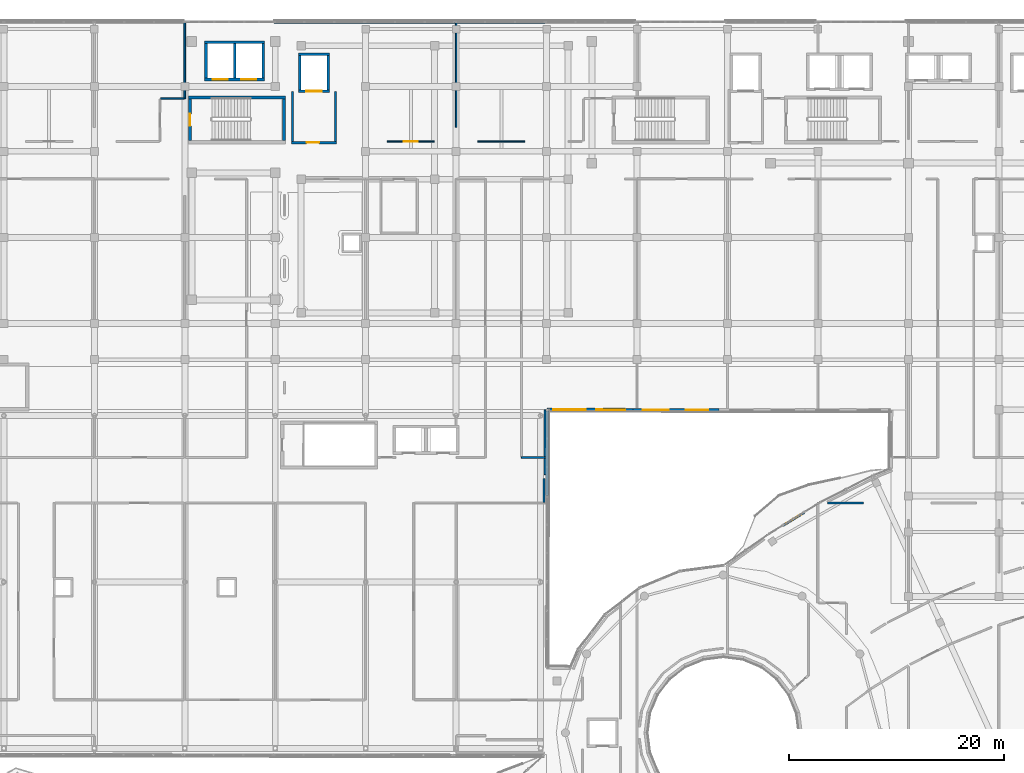
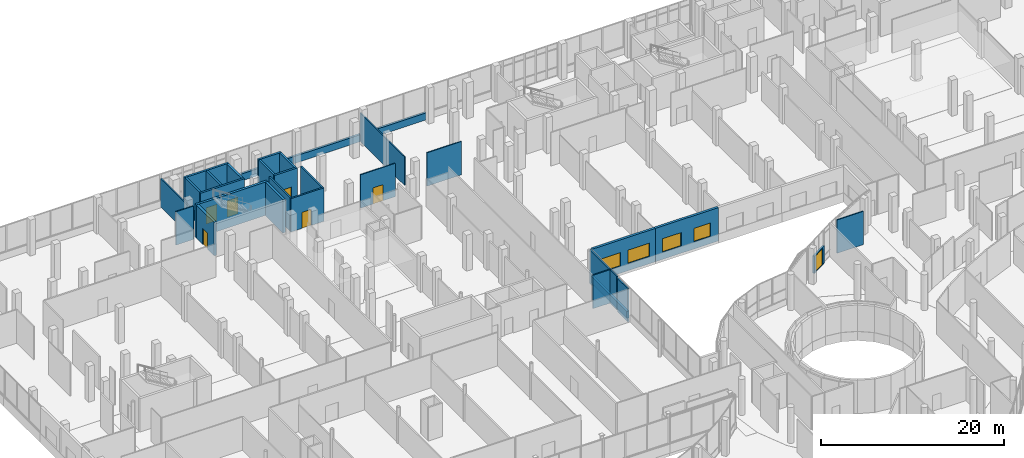
# One storey, part 136 of 155: 32 walls, 7 doors, 4 windows, 11 openings.
"""IFC4 building model written with IfcOpenShell, lengths in metres."""

import ifcopenshell
import ifcopenshell.guid

model = None  # the IFC model being written
_history = None  # IfcOwnerHistory: only IFC2X3 demands one
_inside = {}  # id of a spatial element -> (the spatial element, [elements in it])
_under = {}  # id of a project, library or spatial element -> (it, [spatial elements below it])
_declared = {}  # id of a project -> (the project, [libraries it declares])
_typed = {}  # id of a type object -> (the type object, [elements of that type])
_made_of = {}  # id of a material, layer set ... -> (it, [elements and type objects made of it])


def new_model(schema):
    """Start an empty IFC model of exactly this schema.

    Asked for "IFC4X3", IfcOpenShell would pick the latest addendum, in which some entities
    have other attributes; the version numbers below select the first issue.
    IFC2X3 requires an IfcOwnerHistory on every rooted entity: one is made here for all.
    """
    global model, _history
    if schema == "IFC4X3":
        model = ifcopenshell.file(schema_version=(4, 3, 0, 0))
    else:
        model = ifcopenshell.file(schema=schema)
    _inside.clear()
    _under.clear()
    _declared.clear()
    _typed.clear()
    _made_of.clear()
    _history = None
    if model.schema == "IFC2X3":
        org = make("IfcOrganization", Name="unknown")
        user = make(
            "IfcPersonAndOrganization",
            ThePerson=make("IfcPerson", FamilyName="unknown"),
            TheOrganization=org,
        )
        app = make(
            "IfcApplication",
            ApplicationDeveloper=org,
            Version="unknown",
            ApplicationFullName="unknown",
            ApplicationIdentifier="unknown",
        )
        _history = make(
            "IfcOwnerHistory",
            OwningUser=user,
            OwningApplication=app,
            ChangeAction="ADDED",
            CreationDate=0,
        )
    return model


def make(cls, **values):
    """One entity of the class cls with the attributes given. An attribute that is None is left unset."""
    return model.create_entity(
        cls, **{name: value for name, value in values.items() if value is not None}
    )


def rooted(cls, **values):
    """An entity with a GlobalId (a new one), such as an element, a storey or a relation."""
    return make(cls, GlobalId=ifcopenshell.guid.new(), OwnerHistory=_history, **values)


def si_unit(unit_type, name, prefix=None):
    """IfcSIUnit, for example si_unit("LENGTHUNIT", "METRE", prefix="MILLI")."""
    return make("IfcSIUnit", UnitType=unit_type, Prefix=prefix, Name=name)


def assignment(units):
    """IfcUnitAssignment: the units of a project."""
    return None if units is None else make("IfcUnitAssignment", Units=units)


def point(xyz):
    """IfcCartesianPoint."""
    return None if xyz is None else make("IfcCartesianPoint", Coordinates=xyz)


def direction(xyz):
    """IfcDirection."""
    return None if xyz is None else make("IfcDirection", DirectionRatios=xyz)


def frame(location, z_axis=None, x_axis=None):
    """IfcAxis2Placement3D, a coordinate frame: its origin and axes. An axis left out is left unset."""
    return make(
        "IfcAxis2Placement3D",
        Location=point(location),
        Axis=direction(z_axis),
        RefDirection=direction(x_axis),
    )


def frame_2d(location, x_axis=None):
    """IfcAxis2Placement2D, a coordinate frame in the plane: its origin and x axis."""
    return make(
        "IfcAxis2Placement2D", Location=point(location), RefDirection=direction(x_axis)
    )


def origin():
    """The frame at (0, 0, 0) with its axes left unset."""
    return frame((0.0, 0.0, 0.0))


def place(relative_to, where):
    """IfcLocalPlacement: puts the frame where relative to a parent placement (None: the world)."""
    return make(
        "IfcLocalPlacement", PlacementRelTo=relative_to, RelativePlacement=where
    )


def context(
    kind, dimensions, precision=None, world=None, true_north=None, identifier=None
):
    """IfcGeometricRepresentationContext, for example the 3D "Model" context."""
    return make(
        "IfcGeometricRepresentationContext",
        ContextIdentifier=identifier,
        ContextType=kind,
        CoordinateSpaceDimension=dimensions,
        Precision=precision,
        WorldCoordinateSystem=world,
        TrueNorth=true_north,
    )


def subcontext(parent, identifier, kind, view, scale=None):
    """IfcGeometricRepresentationSubContext, for example "Body" below "Model"."""
    return make(
        "IfcGeometricRepresentationSubContext",
        ContextIdentifier=identifier,
        ContextType=kind,
        ParentContext=parent,
        TargetScale=scale,
        TargetView=view,
    )


def project(units=None, contexts=None):
    """IfcProject with its units and contexts."""
    return rooted(
        "IfcProject",
        Name="project",
        RepresentationContexts=contexts,
        UnitsInContext=assignment(units),
    )


def spatial(cls, under=None, at=None, **own):
    """A site, building, storey or space (cls), placed at a placement, below another one or the project."""
    s = rooted(cls, ObjectPlacement=at, **own)
    if under is not None:
        _under.setdefault(under.id(), (under, []))[1].append(s)
    return s


def profile(cls, at=None, kind="AREA", **sizes):
    """A parametric profile (cls). Its sizes go by their IFC names, for example OverallWidth=200.0."""
    return make(cls, ProfileType=kind, Position=at, **sizes)


def rectangle(**sizes):
    """IfcRectangleProfileDef."""
    return profile("IfcRectangleProfileDef", **sizes)


def extrude(swept, where, along, depth):
    """IfcExtrudedAreaSolid: the profile swept, set in the frame where, extruded along a direction by depth."""
    return make(
        "IfcExtrudedAreaSolid",
        SweptArea=swept,
        Position=where,
        ExtrudedDirection=direction(along),
        Depth=depth,
    )


def shape(context_of_items, identifier, shape_type, items):
    """IfcShapeRepresentation: the items that make up one representation, for example the "Body"."""
    return make(
        "IfcShapeRepresentation",
        ContextOfItems=context_of_items,
        RepresentationIdentifier=identifier,
        RepresentationType=shape_type,
        Items=items,
    )


def material(Name=None, Category=None):
    """IfcMaterial."""
    return make("IfcMaterial", Name=Name, Category=Category)


def layer(
    of_material, thickness, ventilated=None, Name=None, Category=None, Priority=None
):
    """IfcMaterialLayer: one layer of a wall or slab, of a material (None: an air gap)."""
    return make(
        "IfcMaterialLayer",
        Material=of_material,
        LayerThickness=thickness,
        IsVentilated=ventilated,
        Name=Name,
        Category=Category,
        Priority=Priority,
    )


def layer_set(layers, Name=None):
    """IfcMaterialLayerSet."""
    return make("IfcMaterialLayerSet", MaterialLayers=layers, LayerSetName=Name)


def made_of(thing, what):
    """Note that an element or type object is made of a material, layer set ...; save() writes the relation."""
    if what is not None:
        _made_of.setdefault(what.id(), (what, []))[1].append(thing)
    return thing


def type_object(cls, material=None, **own):
    """A type object (cls), such as IfcWallType, which elements share."""
    return made_of(rooted(cls, **own), material)


def element(
    cls,
    number,
    at=None,
    inside=None,
    cuts=None,
    type_object=None,
    material=None,
    context=None,
    identifier="Body",
    shape_type=None,
    held_by="IfcProductDefinitionShape",
    body=None,
    shapes=None,
    **own,
):
    """One element of the class cls, such as IfcWall. Its Tag is "e" and its number.

    at: its placement. inside: the storey or other place that contains it. cuts: it is an
    opening in that element (IfcRelVoidsElement). A single representation is given by context,
    identifier, shape_type and body (its items); several are given by shapes. held_by: the class
    of the entity that holds the representations. save() writes the other relations.
    """
    e = rooted(cls, Tag="e%d" % number, ObjectPlacement=at, **own)
    if body is not None:
        shapes = [shape(context, identifier, shape_type, body)]
    if shapes is not None:
        e.Representation = make(held_by, Representations=shapes)
    if inside is not None:
        _inside.setdefault(inside.id(), (inside, []))[1].append(e)
    if cuts is not None:
        rooted(
            "IfcRelVoidsElement", RelatingBuildingElement=cuts, RelatedOpeningElement=e
        )
    if type_object is not None:
        _typed.setdefault(type_object.id(), (type_object, []))[1].append(e)
    return made_of(e, material)


def fill(opening, filler):
    """IfcRelFillsElement: the door or window that sits in an opening."""
    return rooted(
        "IfcRelFillsElement",
        RelatingOpeningElement=opening,
        RelatedBuildingElement=filler,
    )


def aggregate(whole, parts):
    """IfcRelAggregates: a whole, such as a stair, and the parts it consists of."""
    return rooted("IfcRelAggregates", RelatingObject=whole, RelatedObjects=parts)


def save(model, path):
    """Write the relations noted so far, then the file.

    IfcRelAggregates (storeys below a building ...), IfcRelContainedInSpatialStructure (elements
    in a storey), IfcRelDefinesByType, IfcRelAssociatesMaterial and IfcRelDeclares: one each for
    every whole, place, type object, material and project.
    """
    for whole, parts in _under.values():
        aggregate(whole, parts)
    for where, things in _inside.values():
        rooted(
            "IfcRelContainedInSpatialStructure",
            RelatedElements=things,
            RelatingStructure=where,
        )
    for kind, things in _typed.values():
        rooted("IfcRelDefinesByType", RelatedObjects=things, RelatingType=kind)
    for what, things in _made_of.values():
        rooted("IfcRelAssociatesMaterial", RelatedObjects=things, RelatingMaterial=what)
    for by, libraries in _declared.values():
        rooted("IfcRelDeclares", RelatingContext=by, RelatedDefinitions=libraries)
    model.write(path)


model = new_model("IFC4")

# Units and contexts
model_context = context("Model", 3, precision=1e-05, world=origin(), true_north=direction((0.0, 1.0)))
body_context = subcontext(model_context, "Body", "Model", "MODEL_VIEW")
ifc_project = project(units=[si_unit("LENGTHUNIT", "METRE"), si_unit("AREAUNIT", "SQUARE_METRE"), si_unit("VOLUMEUNIT", "CUBIC_METRE"), si_unit("PLANEANGLEUNIT", "RADIAN"), si_unit("MASSUNIT", "GRAM", prefix="KILO")], contexts=[model_context])

# Site, building, storey
site_placement = place(None, origin())
site = spatial("IfcSite", under=ifc_project, at=site_placement, CompositionType="ELEMENT")
building_placement = place(site_placement, origin())
building = spatial("IfcBuilding", under=site, at=building_placement, Name="Selatvlak General Hospital", CompositionType="ELEMENT")
storey_placement = place(building_placement, frame((0.0, 0.0, 10.199951171875)))
storey = spatial("IfcBuildingStorey", under=building, at=storey_placement, Name="L02", CompositionType="ELEMENT", Elevation=10.199951171875)

# Wall, openings, windows
ifc_material_1 = material(Name="Precast concrete C40/50 - white fair-faced", Category="concrete")
ifc_layer_1 = layer(ifc_material_1, 0.300048828125, Name="Precast concrete C40/50 - white fair-faced", Category="concrete")
ifc_layer_set_1 = layer_set([ifc_layer_1], Name="Precast concrete C40/50 - white fair-faced")
wall_type_1 = type_object("IfcWallType", Name="WALL-EW-01", PredefinedType="SOLIDWALL", material=ifc_layer_set_1)
wall_1_placement = place(storey_placement, frame((97.6298828125, 83.969970703125, 0.0), z_axis=(0.0, 0.0, 1.0), x_axis=(-0.99999820321, 0.001895673228, 0.0)))
wall_1 = element("IfcWall", 1, at=wall_1_placement, inside=storey, type_object=wall_type_1, Name="L02 exterior wall 0329", PredefinedType="SOLIDWALL", context=body_context, shape_type="SweptSolid", body=[
    extrude(rectangle(XDim=7.98486328125, YDim=0.300048828125, at=frame_2d((3.992431640625, 0.0))), origin(), (0.0, 0.0, 1.0), 4.4599609375),
])
opening_1_placement = place(wall_1_placement, frame((1.02587890625, 0.0, 0.9599609375)))
opening_1 = element("IfcOpeningElement", 2, at=opening_1_placement, cuts=wall_1, Name="Opening WN-21", PredefinedType="OPENING", context=body_context, shape_type="SweptSolid", body=[
    extrude(rectangle(XDim=2.10009765625, YDim=1.800048828125, at=frame_2d((1.050048828125, 0.89990234375))), frame((0.0, 0.159912109375, 0.0), z_axis=(0.0, -1.0, 0.0), x_axis=(1.0, 0.0, 0.0)), (0.0, 0.0, 1.0), 0.320068359375),
])
opening_2_placement = place(wall_1_placement, frame((4.708984375, 0.0, 0.9599609375)))
opening_2 = element("IfcOpeningElement", 3, at=opening_2_placement, cuts=wall_1, Name="Opening WN-22", PredefinedType="OPENING", context=body_context, shape_type="SweptSolid", body=[
    extrude(rectangle(XDim=2.39990234375, YDim=1.800048828125, at=frame_2d((1.199951171875, 0.89990234375))), frame((0.0, 0.159912109375, 0.0), z_axis=(0.0, -1.0, 0.0), x_axis=(1.0, 0.0, 0.0)), (0.0, 0.0, 1.0), 0.320068359375),
])
ifc_material_2 = material(Name="Thermally broken aluminium Low-E window", Category="aluminium")
window_type_1 = type_object("IfcWindowType", Name="WIN-WN-21", PartitioningType="SINGLE_PANEL", PredefinedType="WINDOW", material=ifc_material_2)
window_1_placement = place(opening_1_placement, origin())
window_1 = element("IfcWindow", 4, at=window_1_placement, inside=storey, type_object=window_type_1, Name="L02 Bauhaus ribbon window 0050", OverallHeight=1.800048828125, OverallWidth=2.10009765625, PartitioningType="SINGLE_PANEL", PredefinedType="WINDOW", context=body_context, shape_type="SweptSolid", body=[
    extrude(rectangle(XDim=2.10009765625, YDim=1.800048828125, at=frame_2d((1.050048828125, 0.89990234375))), frame((0.0, 0.030029296875, 0.0), z_axis=(0.0, -1.0, 0.0), x_axis=(1.0, 0.0, 0.0)), (0.0, 0.0, 1.0), 0.06005859375),
])
fill(opening_1, window_1)
window_type_2 = type_object("IfcWindowType", Name="WIN-WN-22", PartitioningType="SINGLE_PANEL", PredefinedType="WINDOW", material=ifc_material_2)
window_2_placement = place(opening_2_placement, origin())
window_2 = element("IfcWindow", 5, at=window_2_placement, inside=storey, type_object=window_type_2, Name="L02 Bauhaus ribbon window 0051", OverallHeight=1.800048828125, OverallWidth=2.39990234375, PartitioningType="SINGLE_PANEL", PredefinedType="WINDOW", context=body_context, shape_type="SweptSolid", body=[
    extrude(rectangle(XDim=2.39990234375, YDim=1.800048828125, at=frame_2d((1.199951171875, 0.89990234375))), frame((0.0, 0.030029296875, 0.0), z_axis=(0.0, -1.0, 0.0), x_axis=(1.0, 0.0, 0.0)), (0.0, 0.0, 1.0), 0.06005859375),
])
fill(opening_2, window_2)

wall_2_placement = place(storey_placement, frame((89.64501953125, 83.985107421875, 0.0), z_axis=(0.0, 0.0, 1.0), x_axis=(-0.99999826081, 0.001865040936, 0.0)))
wall_2 = element("IfcWall", 6, at=wall_2_placement, inside=storey, type_object=wall_type_1, Name="L02 exterior wall 0330", PredefinedType="SOLIDWALL", context=body_context, shape_type="SweptSolid", body=[
    extrude(rectangle(XDim=7.985107421875, YDim=0.300048828125, at=frame_2d((3.99267578125, 0.0))), origin(), (0.0, 0.0, 1.0), 4.4599609375),
])
opening_3_placement = place(wall_2_placement, frame((0.72607421875, 0.0, 0.9599609375)))
opening_3 = element("IfcOpeningElement", 7, at=opening_3_placement, cuts=wall_2, Name="Opening WN-23", PredefinedType="OPENING", context=body_context, shape_type="SweptSolid", body=[
    extrude(rectangle(XDim=2.699951171875, YDim=1.800048828125, at=frame_2d((1.35009765625, 0.89990234375))), frame((0.0, 0.159912109375, 0.0), z_axis=(0.0, -1.0, 0.0), x_axis=(1.0, 0.0, 0.0)), (0.0, 0.0, 1.0), 0.320068359375),
])
opening_4_placement = place(wall_2_placement, frame((4.408935546875, 0.0, 0.9599609375)))
opening_4 = element("IfcOpeningElement", 8, at=opening_4_placement, cuts=wall_2, Name="Opening WN-24", PredefinedType="OPENING", context=body_context, shape_type="SweptSolid", body=[
    extrude(rectangle(XDim=3.0, YDim=1.800048828125, at=frame_2d((1.5, 0.89990234375))), frame((0.0, 0.159912109375, 0.0), z_axis=(0.0, -1.0, 0.0), x_axis=(1.0, 0.0, 0.0)), (0.0, 0.0, 1.0), 0.320068359375),
])
window_type_3 = type_object("IfcWindowType", Name="WIN-WN-23", PartitioningType="SINGLE_PANEL", PredefinedType="WINDOW", material=ifc_material_2)
window_3_placement = place(opening_3_placement, origin())
window_3 = element("IfcWindow", 9, at=window_3_placement, inside=storey, type_object=window_type_3, Name="L02 Bauhaus ribbon window 0052", OverallHeight=1.800048828125, OverallWidth=2.699951171875, PartitioningType="SINGLE_PANEL", PredefinedType="WINDOW", context=body_context, shape_type="SweptSolid", body=[
    extrude(rectangle(XDim=2.699951171875, YDim=1.800048828125, at=frame_2d((1.35009765625, 0.89990234375))), frame((0.0, 0.030029296875, 0.0), z_axis=(0.0, -1.0, 0.0), x_axis=(1.0, 0.0, 0.0)), (0.0, 0.0, 1.0), 0.06005859375),
])
fill(opening_3, window_3)
window_type_4 = type_object("IfcWindowType", Name="WIN-WN-24", PartitioningType="SINGLE_PANEL", PredefinedType="WINDOW", material=ifc_material_2)
window_4_placement = place(opening_4_placement, origin())
window_4 = element("IfcWindow", 10, at=window_4_placement, inside=storey, type_object=window_type_4, Name="L02 Bauhaus ribbon window 0053", OverallHeight=1.800048828125, OverallWidth=3.0, PartitioningType="SINGLE_PANEL", PredefinedType="WINDOW", context=body_context, shape_type="SweptSolid", body=[
    extrude(rectangle(XDim=3.0, YDim=1.800048828125, at=frame_2d((1.5, 0.89990234375))), frame((0.0, 0.030029296875, 0.0), z_axis=(0.0, -1.0, 0.0), x_axis=(1.0, 0.0, 0.0)), (0.0, 0.0, 1.0), 0.06005859375),
])
fill(opening_4, window_4)

# Walls
ifc_material_3 = material(Name="Precast concrete C40/50 - white Bauhaus spandrel", Category="concrete")
ifc_layer_2 = layer(ifc_material_3, 0.280029296875, Name="Precast concrete C40/50 - white Bauhaus spandrel", Category="concrete")
ifc_layer_set_2 = layer_set([ifc_layer_2], Name="Precast concrete C40/50 - white Bauhaus spandrel")
wall_type_2 = type_object("IfcWallType", Name="WALL-EW-02", PredefinedType="SOLIDWALL", material=ifc_layer_set_2)
wall_3_placement = place(storey_placement, frame((56.302001953125, 119.9990234375, 0.0), z_axis=(0.0, 0.0, 1.0), x_axis=(1.0, 0.0, 0.0)))
element("IfcWall", 11, at=wall_3_placement, inside=storey, type_object=wall_type_2, Name="L02 Bauhaus spandrel sill wall 0295", PredefinedType="SOLIDWALL", context=body_context, shape_type="SweptSolid", body=[
    extrude(rectangle(XDim=8.3759765625, YDim=0.280029296875, at=frame_2d((4.18798828125, 0.0))), origin(), (0.0, 0.0, 1.0), 0.93994140625),
])
wall_4_placement = place(storey_placement, frame((64.681884765625, 119.9990234375, 0.0), z_axis=(0.0, 0.0, 1.0), x_axis=(1.0, 0.0, 0.0)))
element("IfcWall", 12, at=wall_4_placement, inside=storey, type_object=wall_type_2, Name="L02 Bauhaus spandrel sill wall 0296", PredefinedType="SOLIDWALL", context=body_context, shape_type="SweptSolid", body=[
    extrude(rectangle(XDim=8.376220703125, YDim=0.280029296875, at=frame_2d((4.18798828125, 0.0))), origin(), (0.0, 0.0, 1.0), 0.93994140625),
])
wall_5_placement = place(storey_placement, frame((73.06201171875, 119.9990234375, 0.0), z_axis=(0.0, 0.0, 1.0), x_axis=(1.0, 0.0, 0.0)))
element("IfcWall", 13, at=wall_5_placement, inside=storey, type_object=wall_type_2, Name="L02 Bauhaus spandrel sill wall 0297", PredefinedType="SOLIDWALL", context=body_context, shape_type="SweptSolid", body=[
    extrude(rectangle(XDim=8.3759765625, YDim=0.280029296875, at=frame_2d((4.18798828125, 0.0))), origin(), (0.0, 0.0, 1.0), 0.93994140625),
])
wall_6_placement = place(storey_placement, frame((81.659912109375, 83.860107421875, 0.0), z_axis=(0.0, 0.0, 1.0), x_axis=(-0.002554110965, -0.999996738253, 0.0)))
element("IfcWall", 14, at=wall_6_placement, inside=storey, type_object=wall_type_2, Name="L02 Bauhaus spandrel sill wall 0331", PredefinedType="SOLIDWALL", context=body_context, shape_type="SweptSolid", body=[
    extrude(rectangle(XDim=7.838134765625, YDim=0.280029296875, at=frame_2d((3.9189453125, 0.0))), origin(), (0.0, 0.0, 1.0), 0.93994140625),
])

# Wall, opening, door
ifc_layer_3 = layer(ifc_material_1, 0.239990234375, Name="Precast concrete C40/50 - white fair-faced", Category="concrete")
ifc_layer_set_3 = layer_set([ifc_layer_3], Name="Precast concrete C40/50 - white fair-faced")
wall_type_3 = type_object("IfcWallType", Name="WALL-EW-04", PredefinedType="SOLIDWALL", material=ifc_layer_set_3)
wall_7_placement = place(storey_placement, frame((103.555908203125, 73.258056640625, 0.0), z_axis=(0.0, 0.0, 1.0), x_axis=(0.85044606758, 0.526062245498, 0.0)))
wall_7 = element("IfcWall", 15, at=wall_7_placement, inside=storey, type_object=wall_type_3, Name="L02 S-curve glazed balcony door frame 0325", PredefinedType="SOLIDWALL", context=body_context, shape_type="SweptSolid", body=[
    extrude(rectangle(XDim=2.300048828125, YDim=0.239990234375, at=frame_2d((1.14990234375, 0.0))), origin(), (0.0, 0.0, 1.0), 2.320068359375),
])
opening_5_placement = place(wall_7_placement, frame((0.35009765625, 0.0, 0.0)))
opening_5 = element("IfcOpeningElement", 16, at=opening_5_placement, cuts=wall_7, Name="Opening DE-05", PredefinedType="OPENING", context=body_context, shape_type="SweptSolid", body=[
    extrude(rectangle(XDim=1.60009765625, YDim=2.199951171875, at=frame_2d((0.800048828125, 1.10009765625))), frame((0.0, 0.1298828125, 0.0), z_axis=(0.0, -1.0, 0.0), x_axis=(1.0, 0.0, 0.0)), (0.0, 0.0, 1.0), 0.260009765625),
])
ifc_material_4 = material(Name="Anodised aluminium balcony double door", Category="aluminium")
door_type_1 = type_object("IfcDoorType", Name="DOOR-DE-05", OperationType="DOUBLE_DOOR_SINGLE_SWING", PredefinedType="DOOR", material=ifc_material_4)
door_1_placement = place(opening_5_placement, origin())
door_1 = element("IfcDoor", 17, at=door_1_placement, inside=storey, type_object=door_type_1, Name="L02 clinic balcony double door 26", OperationType="DOUBLE_DOOR_SINGLE_SWING", OverallHeight=2.199951171875, OverallWidth=1.60009765625, PredefinedType="DOOR", context=body_context, shape_type="SweptSolid", body=[
    extrude(rectangle(XDim=1.60009765625, YDim=2.199951171875, at=frame_2d((0.800048828125, 1.10009765625))), frame((0.0, 0.02490234375, 0.0), z_axis=(0.0, -1.0, 0.0), x_axis=(1.0, 0.0, 0.0)), (0.0, 0.0, 1.0), 0.050048828125),
])
fill(opening_5, door_1)

ifc_material_5 = material(Name="Concrete C40/50", Category="concrete")
ifc_layer_4 = layer(ifc_material_5, 0.199951171875, Name="Concrete C40/50", Category="concrete")
ifc_layer_set_4 = layer_set([ifc_layer_4], Name="Concrete C40/50")
wall_type_4 = type_object("IfcWallType", Name="WALL-IW-02", PredefinedType="SOLIDWALL", material=ifc_layer_set_4)
wall_8_placement = place(storey_placement, frame((57.89990234375, 108.800048828125, 0.0), z_axis=(0.0, 0.0, 1.0), x_axis=(1.0, 0.0, 0.0)))
wall_8 = element("IfcWall", 18, at=wall_8_placement, inside=storey, type_object=wall_type_4, Name="Firefighting lobby C1 wall L02 S", PredefinedType="SOLIDWALL", context=body_context, shape_type="SweptSolid", body=[
    extrude(rectangle(XDim=4.2001953125, YDim=0.199951171875, at=frame_2d((2.10009765625, 0.0))), origin(), (0.0, 0.0, 1.0), 4.4599609375),
])
opening_6_placement = place(wall_8_placement, frame((1.425048828125, 0.0, 0.0)))
opening_6 = element("IfcOpeningElement", 19, at=opening_6_placement, cuts=wall_8, Name="Opening D-06", PredefinedType="OPENING", context=body_context, shape_type="SweptSolid", body=[
    extrude(rectangle(XDim=1.14990234375, YDim=2.14990234375, at=frame_2d((0.574951171875, 1.074951171875))), frame((0.0, 0.10986328125, 0.0), z_axis=(0.0, -1.0, 0.0), x_axis=(1.0, 0.0, 0.0)), (0.0, 0.0, 1.0), 0.219970703125),
])
ifc_material_6 = material(Name="Firefighting lobby fire door")
door_type_2 = type_object("IfcDoorType", Name="DOOR-D-06", OperationType="NOTDEFINED", PredefinedType="DOOR", material=ifc_material_6)
door_2_placement = place(opening_6_placement, origin())
door_2 = element("IfcDoor", 20, at=door_2_placement, inside=storey, type_object=door_type_2, Name="Firefighting lobby C1 door on L02", OperationType="SINGLE_SWING_LEFT", OverallHeight=2.14990234375, OverallWidth=1.14990234375, PredefinedType="DOOR", context=body_context, shape_type="SweptSolid", body=[
    extrude(rectangle(XDim=1.14990234375, YDim=2.14990234375, at=frame_2d((0.574951171875, 1.074951171875))), frame((0.0, 0.02490234375, 0.0), z_axis=(0.0, -1.0, 0.0), x_axis=(1.0, 0.0, 0.0)), (0.0, 0.0, 1.0), 0.050048828125),
])
fill(opening_6, door_2)

# Walls
for number, where, z_axis, x_axis, name in (
    (21, (62.0, 108.89990234375, 0.0), (0.0, 0.0, 1.0), (0.0, 1.0, 0.0), "Firefighting lobby C1 wall L02 E"),
    (22, (58.0, 113.550048828125, 0.0), (0.0, 0.0, 1.0), (0.0, -1.0, 0.0), "Firefighting lobby C1 wall L02 W"),
):
    element("IfcWall", number, at=place(storey_placement, frame(where, z_axis=z_axis, x_axis=x_axis)), inside=storey, type_object=wall_type_4, Name=name, PredefinedType="SOLIDWALL", context=body_context, shape_type="SweptSolid", body=[
        extrude(rectangle(XDim=4.650146484375, YDim=0.199951171875, at=frame_2d((2.3251953125, 0.0))), origin(), (0.0, 0.0, 1.0), 4.4599609375),
    ])
ifc_material_7 = material(Name="Acoustic gypsum stud partition")
ifc_layer_5 = layer(ifc_material_7, 0.179931640625, Name="Acoustic gypsum stud partition")
ifc_layer_set_5 = layer_set([ifc_layer_5], Name="Acoustic gypsum stud partition")
wall_type_5 = type_object("IfcWallType", Name="WALL-PT-01", PredefinedType="PARTITIONING", material=ifc_layer_set_5)
wall_9_placement = place(storey_placement, frame((81.360107421875, 75.39599609375, 0.0), z_axis=(0.0, 0.0, 1.0), x_axis=(0.0, 1.0, 0.0)))
element("IfcWall", 23, at=wall_9_placement, inside=storey, type_object=wall_type_5, Name="L02 clinical partition PT-L02-1145", PredefinedType="PARTITIONING", context=body_context, shape_type="SweptSolid", body=[
    extrude(rectangle(XDim=2.2041015625, YDim=0.179931640625, at=frame_2d((1.10205078125, 0.0))), origin(), (0.0, 0.0, 1.0), 4.4599609375),
])
wall_10_placement = place(storey_placement, frame((81.60693359375, 79.56005859375, 0.0), z_axis=(0.0, 0.0, 1.0), x_axis=(-1.0, 0.0, 0.0)))
element("IfcWall", 24, at=wall_10_placement, inside=storey, type_object=wall_type_5, Name="L02 clinical partition PT-L02-1275", PredefinedType="PARTITIONING", context=body_context, shape_type="SweptSolid", body=[
    extrude(rectangle(XDim=2.346923828125, YDim=0.179931640625, at=frame_2d((1.17333984375, 0.0))), origin(), (0.0, 0.0, 1.0), 4.4599609375),
])
wall_11_placement = place(storey_placement, frame((81.4599609375, 83.97509765625, 0.0), z_axis=(0.0, 0.0, 1.0), x_axis=(0.0, -1.0, 0.0)))
element("IfcWall", 25, at=wall_11_placement, inside=storey, type_object=wall_type_5, Name="L02 clinical partition PT-L02-1280", PredefinedType="PARTITIONING", context=body_context, shape_type="SweptSolid", body=[
    extrude(rectangle(XDim=4.3291015625, YDim=0.179931640625, at=frame_2d((2.16455078125, 0.0))), origin(), (0.0, 0.0, 1.0), 4.4599609375),
])
ifc_layer_6 = layer(ifc_material_7, 0.1650390625, Name="Acoustic gypsum stud partition")
ifc_layer_set_6 = layer_set([ifc_layer_6], Name="Acoustic gypsum stud partition")
wall_type_6 = type_object("IfcWallType", Name="WALL-PT-02", PredefinedType="PARTITIONING", material=ifc_layer_set_6)
wall_12_placement = place(storey_placement, frame((81.4599609375, 79.47412109375, 0.0), z_axis=(0.0, 0.0, 1.0), x_axis=(0.0, -1.0, 0.0)))
element("IfcWall", 26, at=wall_12_placement, inside=storey, type_object=wall_type_6, Name="L02 clinical partition PT-L02-1281", PredefinedType="PARTITIONING", context=body_context, shape_type="SweptSolid", body=[
    extrude(rectangle(XDim=1.4921875, YDim=0.1650390625, at=frame_2d((0.74609375, 0.0))), origin(), (0.0, 0.0, 1.0), 4.4599609375),
])
ifc_layer_7 = layer(ifc_material_7, 0.14990234375, Name="Acoustic gypsum stud partition")
ifc_layer_set_7 = layer_set([ifc_layer_7], Name="Acoustic gypsum stud partition")
wall_type_7 = type_object("IfcWallType", Name="WALL-PT-03", PredefinedType="PARTITIONING", material=ifc_layer_set_7)
wall_13_placement = place(storey_placement, frame((107.702880859375, 75.340087890625, 0.0), z_axis=(0.0, 0.0, 1.0), x_axis=(1.0, 0.0, 0.0)))
element("IfcWall", 27, at=wall_13_placement, inside=storey, type_object=wall_type_7, Name="L02 clinical partition PT-L02-1182", PredefinedType="PARTITIONING", context=body_context, shape_type="SweptSolid", body=[
    extrude(rectangle(XDim=3.320068359375, YDim=0.14990234375, at=frame_2d((1.66015625, 0.0))), origin(), (0.0, 0.0, 1.0), 4.4599609375),
])
wall_14_placement = place(storey_placement, frame((48.0, 119.988037109375, 0.0), z_axis=(0.0, 0.0, 1.0), x_axis=(0.0, -1.0, 0.0)))
element("IfcWall", 28, at=wall_14_placement, inside=storey, type_object=wall_type_7, Name="L02 clinical partition PT-L02-1332", PredefinedType="PARTITIONING", context=body_context, shape_type="SweptSolid", body=[
    extrude(rectangle(XDim=7.088134765625, YDim=0.14990234375, at=frame_2d((3.5439453125, 0.0))), origin(), (0.0, 0.0, 1.0), 3.81005859375),
])
ifc_material_8 = material(Name="Moisture-resistant clinical partition")
ifc_layer_8 = layer(ifc_material_8, 0.135009765625, Name="Moisture-resistant clinical partition")
ifc_layer_set_8 = layer_set([ifc_layer_8], Name="Moisture-resistant clinical partition")
wall_type_8 = type_object("IfcWallType", Name="WALL-PT-04", PredefinedType="PARTITIONING", material=ifc_layer_set_8)
wall_15_placement = place(storey_placement, frame((47.928955078125, 112.89990234375, 0.0), z_axis=(0.0, 0.0, 1.0), x_axis=(-1.0, 0.0, 0.0)))
element("IfcWall", 29, at=wall_15_placement, inside=storey, type_object=wall_type_8, Name="L02 clinical partition PT-L02-1333", PredefinedType="PARTITIONING", context=body_context, shape_type="SweptSolid", body=[
    extrude(rectangle(XDim=2.178955078125, YDim=0.135009765625, at=frame_2d((1.08935546875, 0.0))), origin(), (0.0, 0.0, 1.0), 4.4599609375),
])
wall_16_placement = place(storey_placement, frame((73.199951171875, 119.95703125, 0.0), z_axis=(0.0, 0.0, 1.0), x_axis=(0.0, -1.0, 0.0)))
element("IfcWall", 30, at=wall_16_placement, inside=storey, type_object=wall_type_8, Name="L02 clinical partition PT-L02-1338", PredefinedType="PARTITIONING", context=body_context, shape_type="SweptSolid", body=[
    extrude(rectangle(XDim=9.7470703125, YDim=0.135009765625, at=frame_2d((4.87353515625, 0.0))), origin(), (0.0, 0.0, 1.0), 3.81005859375),
])

# Wall, opening, door
ifc_layer_9 = layer(ifc_material_8, 0.1201171875, Name="Moisture-resistant clinical partition")
ifc_layer_set_9 = layer_set([ifc_layer_9], Name="Moisture-resistant clinical partition")
wall_type_9 = type_object("IfcWallType", Name="WALL-PT-05", PredefinedType="PARTITIONING", material=ifc_layer_set_9)
wall_17_placement = place(storey_placement, frame((71.18896484375, 108.909912109375, 0.0), z_axis=(0.0, 0.0, 1.0), x_axis=(-1.0, 0.0, 0.0)))
wall_17 = element("IfcWall", 31, at=wall_17_placement, inside=storey, type_object=wall_type_9, Name="L02 clinical partition PT-L02-1339", PredefinedType="PARTITIONING", context=body_context, shape_type="SweptSolid", body=[
    extrude(rectangle(XDim=4.3779296875, YDim=0.1201171875, at=frame_2d((2.18896484375, 0.0))), origin(), (0.0, 0.0, 1.0), 4.4599609375),
])
opening_7_placement = place(wall_17_placement, frame((1.5390625, 0.0, 0.0)))
opening_7 = element("IfcOpeningElement", 32, at=opening_7_placement, cuts=wall_17, Name="Opening D-24", PredefinedType="OPENING", context=body_context, shape_type="SweptSolid", body=[
    extrude(rectangle(XDim=1.300048828125, YDim=2.14990234375, at=frame_2d((0.64990234375, 1.074951171875))), frame((0.0, 0.070068359375, 0.0), z_axis=(0.0, -1.0, 0.0), x_axis=(1.0, 0.0, 0.0)), (0.0, 0.0, 1.0), 0.14013671875),
])
ifc_material_9 = material(Name="Oncology bay door")
door_type_3 = type_object("IfcDoorType", Name="DOOR-D-24", OperationType="NOTDEFINED", PredefinedType="DOOR", material=ifc_material_9)
door_3_placement = place(opening_7_placement, origin())
door_3 = element("IfcDoor", 33, at=door_3_placement, inside=storey, type_object=door_type_3, Name="L02 Cardiac Catheterisation Lab 67 door", OperationType="SINGLE_SWING_RIGHT", OverallHeight=2.14990234375, OverallWidth=1.300048828125, PredefinedType="DOOR", context=body_context, shape_type="SweptSolid", body=[
    extrude(rectangle(XDim=1.300048828125, YDim=2.14990234375, at=frame_2d((0.64990234375, 1.074951171875))), frame((0.0, 0.02490234375, 0.0), z_axis=(0.0, -1.0, 0.0), x_axis=(1.0, 0.0, 0.0)), (0.0, 0.0, 1.0), 0.050048828125),
])
fill(opening_7, door_3)

# Walls
wall_18_placement = place(storey_placement, frame((79.589111328125, 108.909912109375, 0.0), z_axis=(0.0, 0.0, 1.0), x_axis=(-1.0, 0.0, 0.0)))
element("IfcWall", 34, at=wall_18_placement, inside=storey, type_object=wall_type_9, Name="L02 clinical partition PT-L02-1344", PredefinedType="PARTITIONING", context=body_context, shape_type="SweptSolid", body=[
    extrude(rectangle(XDim=4.378173828125, YDim=0.1201171875, at=frame_2d((2.18896484375, 0.0))), origin(), (0.0, 0.0, 1.0), 4.4599609375),
])
ifc_material_10 = material(Name="Concrete C45/55", Category="concrete")
ifc_layer_10 = layer(ifc_material_10, 0.300048828125, Name="Concrete C45/55", Category="concrete")
ifc_layer_set_10 = layer_set([ifc_layer_10], Name="Concrete C45/55")
wall_type_10 = type_object("IfcWallType", Name="WALL-SW-02", PredefinedType="SHEAR", material=ifc_layer_set_10)
wall_19_placement = place(storey_placement, frame((57.2099609375, 108.989990234375, 0.0), z_axis=(0.0, 0.0, 1.0), x_axis=(0.0, 1.0, 0.0)))
element("IfcWall", 35, at=wall_19_placement, inside=storey, type_object=wall_type_10, Name="ST-01 core shear wall L02 E", PredefinedType="SHEAR", context=body_context, shape_type="SweptSolid", body=[
    extrude(rectangle(XDim=3.860107421875, YDim=0.300048828125, at=frame_2d((1.93017578125, 0.0))), origin(), (0.0, 0.0, 1.0), 4.4599609375),
])
wall_20_placement = place(storey_placement, frame((57.360107421875, 113.0, 0.0), z_axis=(0.0, 0.0, 1.0), x_axis=(-1.0, 0.0, 0.0)))
element("IfcWall", 36, at=wall_20_placement, inside=storey, type_object=wall_type_10, Name="ST-01 core shear wall L02 N", PredefinedType="SHEAR", context=body_context, shape_type="SweptSolid", body=[
    extrude(rectangle(XDim=9.02001953125, YDim=0.300048828125, at=frame_2d((4.510009765625, 0.0))), origin(), (0.0, 0.0, 1.0), 4.4599609375),
])

# Wall, opening, door
wall_21_placement = place(storey_placement, frame((48.489990234375, 112.85009765625, 0.0), z_axis=(0.0, 0.0, 1.0), x_axis=(0.0, -1.0, 0.0)))
wall_21 = element("IfcWall", 37, at=wall_21_placement, inside=storey, type_object=wall_type_10, Name="ST-01 core shear wall L02 W", PredefinedType="SHEAR", context=body_context, shape_type="SweptSolid", body=[
    extrude(rectangle(XDim=3.860107421875, YDim=0.300048828125, at=frame_2d((1.93017578125, 0.0))), origin(), (0.0, 0.0, 1.0), 4.4599609375),
])
opening_8_placement = place(wall_21_placement, frame((1.3798828125, 0.0, 0.0)))
opening_8 = element("IfcOpeningElement", 38, at=opening_8_placement, cuts=wall_21, Name="Opening D-05", PredefinedType="OPENING", context=body_context, shape_type="SweptSolid", body=[
    extrude(rectangle(XDim=1.10009765625, YDim=2.14990234375, at=frame_2d((0.550048828125, 1.074951171875))), frame((0.0, 0.159912109375, 0.0), z_axis=(0.0, -1.0, 0.0), x_axis=(1.0, 0.0, 0.0)), (0.0, 0.0, 1.0), 0.320068359375),
])
ifc_material_11 = material(Name="Protected stair fire door")
door_type_4 = type_object("IfcDoorType", Name="DOOR-D-05", OperationType="NOTDEFINED", PredefinedType="DOOR", material=ifc_material_11)
door_4_placement = place(opening_8_placement, origin())
door_4 = element("IfcDoor", 39, at=door_4_placement, inside=storey, type_object=door_type_4, Name="ST-01 protected stair door on L02", OperationType="SINGLE_SWING_RIGHT", OverallHeight=2.14990234375, OverallWidth=1.10009765625, PredefinedType="DOOR", context=body_context, shape_type="SweptSolid", body=[
    extrude(rectangle(XDim=1.10009765625, YDim=2.14990234375, at=frame_2d((0.550048828125, 1.074951171875))), frame((0.0, 0.02490234375, 0.0), z_axis=(0.0, -1.0, 0.0), x_axis=(1.0, 0.0, 0.0)), (0.0, 0.0, 1.0), 0.050048828125),
])
fill(opening_8, door_4)

ifc_layer_11 = layer(ifc_material_5, 0.25, Name="Concrete C40/50", Category="concrete")
ifc_layer_set_11 = layer_set([ifc_layer_11], Name="Concrete C40/50")
wall_type_11 = type_object("IfcWallType", Name="WALL-SW-03", PredefinedType="SHEAR", material=ifc_layer_set_11)
wall_22_placement = place(storey_placement, frame((58.550048828125, 113.574951171875, 0.0), z_axis=(0.0, 0.0, 1.0), x_axis=(1.0, 0.0, 0.0)))
wall_22 = element("IfcWall", 40, at=wall_22_placement, inside=storey, type_object=wall_type_11, Name="Lift LF-01 shaft wall L02 S", PredefinedType="SHEAR", context=body_context, shape_type="SweptSolid", body=[
    extrude(rectangle(XDim=2.89990234375, YDim=0.25, at=frame_2d((1.449951171875, 0.0))), origin(), (0.0, 0.0, 1.0), 4.4599609375),
])
opening_9_placement = place(wall_22_placement, frame((0.75, 0.0, 0.0)))
opening_9 = element("IfcOpeningElement", 41, at=opening_9_placement, cuts=wall_22, Name="Opening LD-F1", PredefinedType="OPENING", context=body_context, shape_type="SweptSolid", body=[
    extrude(rectangle(XDim=1.39990234375, YDim=2.14990234375, at=frame_2d((0.699951171875, 1.074951171875))), frame((0.0, 0.135009765625, 0.0), z_axis=(0.0, -1.0, 0.0), x_axis=(1.0, 0.0, 0.0)), (0.0, 0.0, 1.0), 0.27001953125),
])
ifc_material_12 = material(Name="Stainless steel fire lift landing door", Category="steel")
door_type_5 = type_object("IfcDoorType", Name="DOOR-LD-F1", OperationType="DOUBLE_DOOR_SLIDING", PredefinedType="DOOR", material=ifc_material_12)
door_5_placement = place(opening_9_placement, origin())
door_5 = element("IfcDoor", 42, at=door_5_placement, inside=storey, type_object=door_type_5, Name="Lift LF-01 sliding landing door on L02", OperationType="DOUBLE_DOOR_SLIDING", OverallHeight=2.14990234375, OverallWidth=1.39990234375, PredefinedType="DOOR", context=body_context, shape_type="SweptSolid", body=[
    extrude(rectangle(XDim=1.39990234375, YDim=2.14990234375, at=frame_2d((0.699951171875, 1.074951171875))), frame((0.0, 0.02490234375, 0.0), z_axis=(0.0, -1.0, 0.0), x_axis=(1.0, 0.0, 0.0)), (0.0, 0.0, 1.0), 0.050048828125),
])
fill(opening_9, door_5)

# Walls
wall_23_placement = place(storey_placement, frame((61.324951171875, 113.699951171875, 0.0), z_axis=(0.0, 0.0, 1.0), x_axis=(0.0, 1.0, 0.0)))
element("IfcWall", 43, at=wall_23_placement, inside=storey, type_object=wall_type_11, Name="Lift LF-01 shaft wall L02 E", PredefinedType="SHEAR", context=body_context, shape_type="SweptSolid", body=[
    extrude(rectangle(XDim=3.199951171875, YDim=0.25, at=frame_2d((1.60009765625, 0.0))), origin(), (0.0, 0.0, 1.0), 4.4599609375),
])
wall_24_placement = place(storey_placement, frame((61.449951171875, 117.02490234375, 0.0), z_axis=(0.0, 0.0, 1.0), x_axis=(-1.0, 0.0, 0.0)))
element("IfcWall", 44, at=wall_24_placement, inside=storey, type_object=wall_type_11, Name="Lift LF-01 shaft wall L02 N", PredefinedType="SHEAR", context=body_context, shape_type="SweptSolid", body=[
    extrude(rectangle(XDim=2.89990234375, YDim=0.25, at=frame_2d((1.449951171875, 0.0))), origin(), (0.0, 0.0, 1.0), 4.4599609375),
])
wall_25_placement = place(storey_placement, frame((58.675048828125, 116.89990234375, 0.0), z_axis=(0.0, 0.0, 1.0), x_axis=(0.0, -1.0, 0.0)))
element("IfcWall", 45, at=wall_25_placement, inside=storey, type_object=wall_type_11, Name="Lift LF-01 shaft wall L02 W", PredefinedType="SHEAR", context=body_context, shape_type="SweptSolid", body=[
    extrude(rectangle(XDim=3.199951171875, YDim=0.25, at=frame_2d((1.60009765625, 0.0))), origin(), (0.0, 0.0, 1.0), 4.4599609375),
])

# Wall, openings, doors
wall_26_placement = place(storey_placement, frame((49.85009765625, 114.675048828125, 0.0), z_axis=(0.0, 0.0, 1.0), x_axis=(1.0, 0.0, 0.0)))
wall_26 = element("IfcWall", 46, at=wall_26_placement, inside=storey, type_object=wall_type_11, Name="Lift LB-01-LB-02 shaft wall L02 S", PredefinedType="SHEAR", context=body_context, shape_type="SweptSolid", body=[
    extrude(rectangle(XDim=5.5498046875, YDim=0.25, at=frame_2d((2.77490234375, 0.0))), origin(), (0.0, 0.0, 1.0), 4.4599609375),
])
opening_10_placement = place(wall_26_placement, frame((0.75, 0.0, 0.0)))
opening_10 = element("IfcOpeningElement", 47, at=opening_10_placement, cuts=wall_26, Name="Opening LD-B1", PredefinedType="OPENING", context=body_context, shape_type="SweptSolid", body=[
    extrude(rectangle(XDim=1.39990234375, YDim=2.199951171875, at=frame_2d((0.699951171875, 1.10009765625))), frame((0.0, 0.135009765625, 0.0), z_axis=(0.0, -1.0, 0.0), x_axis=(1.0, 0.0, 0.0)), (0.0, 0.0, 1.0), 0.27001953125),
])
opening_11_placement = place(wall_26_placement, frame((3.39990234375, 0.0, 0.0)))
opening_11 = element("IfcOpeningElement", 48, at=opening_11_placement, cuts=wall_26, Name="Opening LD-B1", PredefinedType="OPENING", context=body_context, shape_type="SweptSolid", body=[
    extrude(rectangle(XDim=1.39990234375, YDim=2.199951171875, at=frame_2d((0.699951171875, 1.10009765625))), frame((0.0, 0.135009765625, 0.0), z_axis=(0.0, -1.0, 0.0), x_axis=(1.0, 0.0, 0.0)), (0.0, 0.0, 1.0), 0.27001953125),
])
ifc_material_13 = material(Name="Stainless steel stretcher lift landing door", Category="steel")
door_type_6 = type_object("IfcDoorType", Name="DOOR-LD-B1", OperationType="DOUBLE_DOOR_SLIDING", PredefinedType="DOOR", material=ifc_material_13)
door_6_placement = place(opening_10_placement, origin())
door_6 = element("IfcDoor", 49, at=door_6_placement, inside=storey, type_object=door_type_6, Name="Lift LB-01 sliding landing door on L02", OperationType="DOUBLE_DOOR_SLIDING", OverallHeight=2.199951171875, OverallWidth=1.39990234375, PredefinedType="DOOR", context=body_context, shape_type="SweptSolid", body=[
    extrude(rectangle(XDim=1.39990234375, YDim=2.199951171875, at=frame_2d((0.699951171875, 1.10009765625))), frame((0.0, 0.02490234375, 0.0), z_axis=(0.0, -1.0, 0.0), x_axis=(1.0, 0.0, 0.0)), (0.0, 0.0, 1.0), 0.050048828125),
])
fill(opening_10, door_6)
door_7_placement = place(opening_11_placement, origin())
door_7 = element("IfcDoor", 50, at=door_7_placement, inside=storey, type_object=door_type_6, Name="Lift LB-02 sliding landing door on L02", OperationType="DOUBLE_DOOR_SLIDING", OverallHeight=2.199951171875, OverallWidth=1.39990234375, PredefinedType="DOOR", context=body_context, shape_type="SweptSolid", body=[
    extrude(rectangle(XDim=1.39990234375, YDim=2.199951171875, at=frame_2d((0.699951171875, 1.10009765625))), frame((0.0, 0.02490234375, 0.0), z_axis=(0.0, -1.0, 0.0), x_axis=(1.0, 0.0, 0.0)), (0.0, 0.0, 1.0), 0.050048828125),
])
fill(opening_11, door_7)

# Walls
wall_27_placement = place(storey_placement, frame((55.27490234375, 114.800048828125, 0.0), z_axis=(0.0, 0.0, 1.0), x_axis=(0.0, 1.0, 0.0)))
element("IfcWall", 51, at=wall_27_placement, inside=storey, type_object=wall_type_11, Name="Lift LB-01-LB-02 shaft wall L02 E", PredefinedType="SHEAR", context=body_context, shape_type="SweptSolid", body=[
    extrude(rectangle(XDim=3.199951171875, YDim=0.25, at=frame_2d((1.60009765625, 0.0))), origin(), (0.0, 0.0, 1.0), 4.4599609375),
])
wall_28_placement = place(storey_placement, frame((55.39990234375, 118.125, 0.0), z_axis=(0.0, 0.0, 1.0), x_axis=(-1.0, 0.0, 0.0)))
element("IfcWall", 52, at=wall_28_placement, inside=storey, type_object=wall_type_11, Name="Lift LB-01-LB-02 shaft wall L02 N", PredefinedType="SHEAR", context=body_context, shape_type="SweptSolid", body=[
    extrude(rectangle(XDim=5.5498046875, YDim=0.25, at=frame_2d((2.77490234375, 0.0))), origin(), (0.0, 0.0, 1.0), 4.4599609375),
])
for number, where, z_axis, x_axis, name in (
    (53, (49.97509765625, 118.0, 0.0), (0.0, 0.0, 1.0), (0.0, -1.0, 0.0), "Lift LB-01-LB-02 shaft wall L02 W"),
    (54, (52.625, 114.800048828125, 0.0), (0.0, 0.0, 1.0), (0.0, 1.0, 0.0), "Lift LB-01-LB-02 dividing shaft wall L02"),
):
    element("IfcWall", number, at=place(storey_placement, frame(where, z_axis=z_axis, x_axis=x_axis)), inside=storey, type_object=wall_type_11, Name=name, PredefinedType="SHEAR", context=body_context, shape_type="SweptSolid", body=[
        extrude(rectangle(XDim=3.199951171875, YDim=0.25, at=frame_2d((1.60009765625, 0.0))), origin(), (0.0, 0.0, 1.0), 4.4599609375),
    ])

save(model, "model.ifc")
